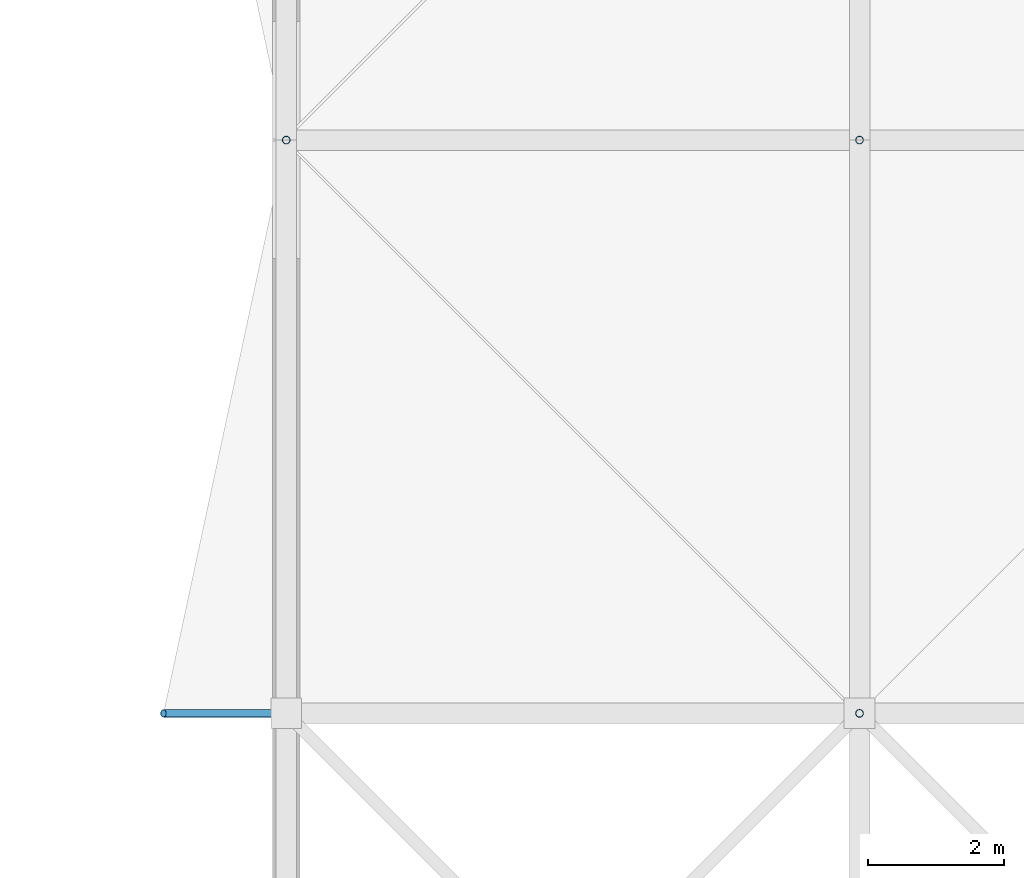
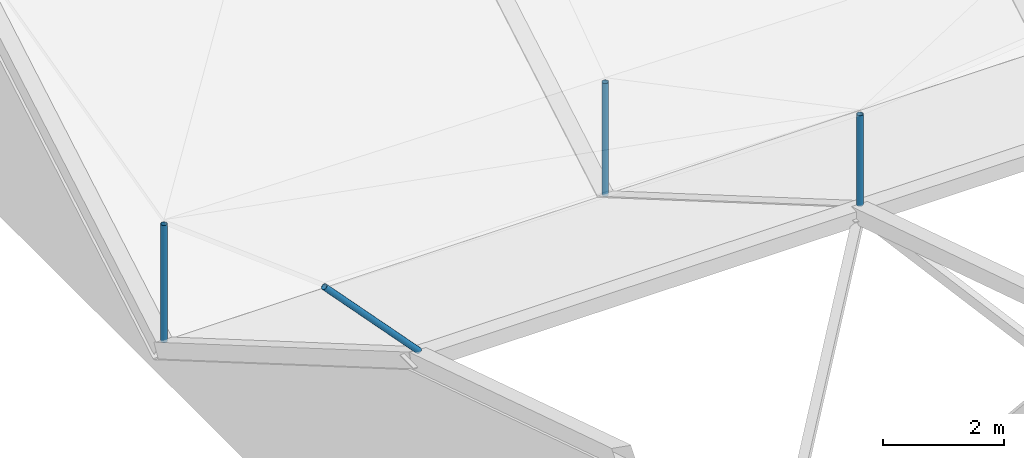
# One storey, part 70 of 111: 4 discrete accessories.
"""IFC4 building model written with IfcOpenShell, lengths in metres."""

from ifc_helpers import new_model, si_unit, direction, frame, origin, origin_2d, place, context, subcontext, project, spatial, hollow_circle, extrude, material, material_profile, profile_set, type_object, element, save


model = new_model("IFC4")

# Units and contexts
model_context = context("Model", 3, precision=1e-05, world=origin(), true_north=direction((0.0, 1.0)))
body_context = subcontext(model_context, "Body", "Model", "MODEL_VIEW")
ifc_project = project(units=[si_unit("LENGTHUNIT", "METRE"), si_unit("AREAUNIT", "SQUARE_METRE"), si_unit("VOLUMEUNIT", "CUBIC_METRE"), si_unit("PLANEANGLEUNIT", "RADIAN"), si_unit("MASSUNIT", "GRAM", prefix="KILO")], contexts=[model_context])

# Site, building, storey
site_placement = place(None, origin())
site = spatial("IfcSite", under=ifc_project, at=site_placement, CompositionType="ELEMENT")
building_placement = place(site_placement, origin())
building = spatial("IfcBuilding", under=site, at=building_placement, Name="Rain Tree Exposition and Congress Centre", CompositionType="ELEMENT")
storey_placement = place(building_placement, frame((0.0, 0.0, 19.5)))
storey = spatial("IfcBuildingStorey", under=building, at=storey_placement, Name="RF", CompositionType="ELEMENT", Elevation=19.5)

# Discrete accessories
ifc_material = material(Name="Steel S355J2H", Category="steel")
ifc_material_profile = material_profile(ifc_material, hollow_circle(Radius=0.05712890625, WallThickness=0.00439453125, at=origin_2d()), Name="CHS 114x4.5")
ifc_profile_set = profile_set([ifc_material_profile], Name="Steel S355J2H")
discrete_accessory_type = type_object("IfcDiscreteAccessoryType", Name="Roof skin post CHS 114x4.5", PredefinedType="BRACKET", material=ifc_profile_set)
discrete_accessory_1_placement = place(storey_placement, frame((142.800048828125, 142.800048828125, 5.39404296875), z_axis=(-0.683965814736, 0.0, 0.729514060367), x_axis=(0.0, -1.0, 0.0)))
element("IfcDiscreteAccessory", 1, at=discrete_accessory_1_placement, inside=storey, type_object=discrete_accessory_type, Name="Roof skin post B66", PredefinedType="BRACKET", context=body_context, shape_type="SweptSolid", body=[
    extrude(hollow_circle(Radius=0.05712890625, WallThickness=0.00439453125, at=origin_2d()), origin(), (0.0, 0.0, 1.0), 2.6318359375),
])
discrete_accessory_2_placement = place(storey_placement, frame((151.199951171875, 142.800048828125, 5.39404296875), z_axis=(0.0, 0.0, 1.0), x_axis=(1.0, 0.0, 0.0)))
element("IfcDiscreteAccessory", 2, at=discrete_accessory_2_placement, inside=storey, type_object=discrete_accessory_type, Name="Roof skin post B67", PredefinedType="BRACKET", context=body_context, shape_type="SweptSolid", body=[
    extrude(hollow_circle(Radius=0.05712890625, WallThickness=0.00439453125, at=origin_2d()), origin(), (0.0, 0.0, 1.0), 1.828857421875),
])
discrete_accessory_3_placement = place(storey_placement, frame((142.800048828125, 151.199951171875, 0.5), z_axis=(0.0, 0.0, 1.0), x_axis=(1.0, 0.0, 0.0)))
element("IfcDiscreteAccessory", 3, at=discrete_accessory_3_placement, inside=storey, type_object=discrete_accessory_type, Name="Roof skin post B79", PredefinedType="BRACKET", context=body_context, shape_type="SweptSolid", body=[
    extrude(hollow_circle(Radius=0.05712890625, WallThickness=0.00439453125, at=origin_2d()), origin(), (0.0, 0.0, 1.0), 2.35791015625),
])
discrete_accessory_4_placement = place(storey_placement, frame((151.199951171875, 151.199951171875, 0.5), z_axis=(0.0, 0.0, 1.0), x_axis=(1.0, 0.0, 0.0)))
element("IfcDiscreteAccessory", 4, at=discrete_accessory_4_placement, inside=storey, type_object=discrete_accessory_type, Name="Roof skin post B80", PredefinedType="BRACKET", context=body_context, shape_type="SweptSolid", body=[
    extrude(hollow_circle(Radius=0.05712890625, WallThickness=0.00439453125, at=origin_2d()), origin(), (0.0, 0.0, 1.0), 2.27587890625),
])

save(model, "model.ifc")
